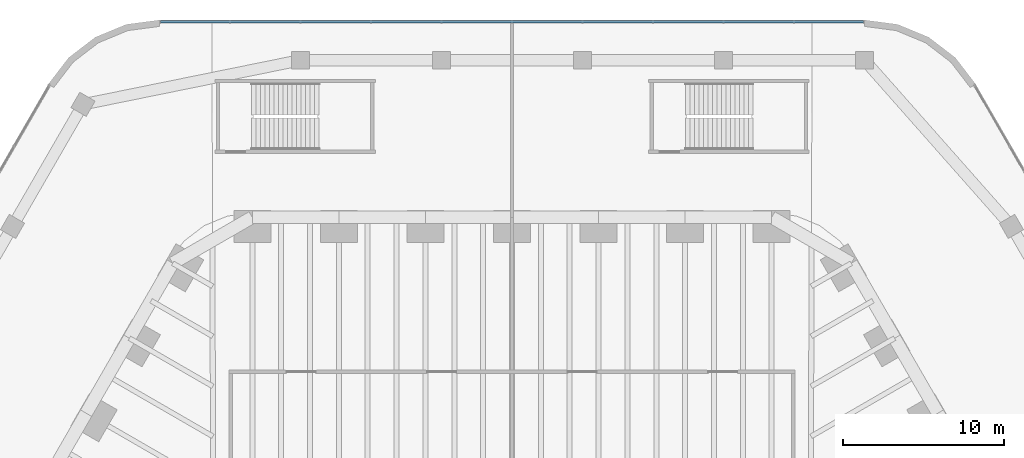
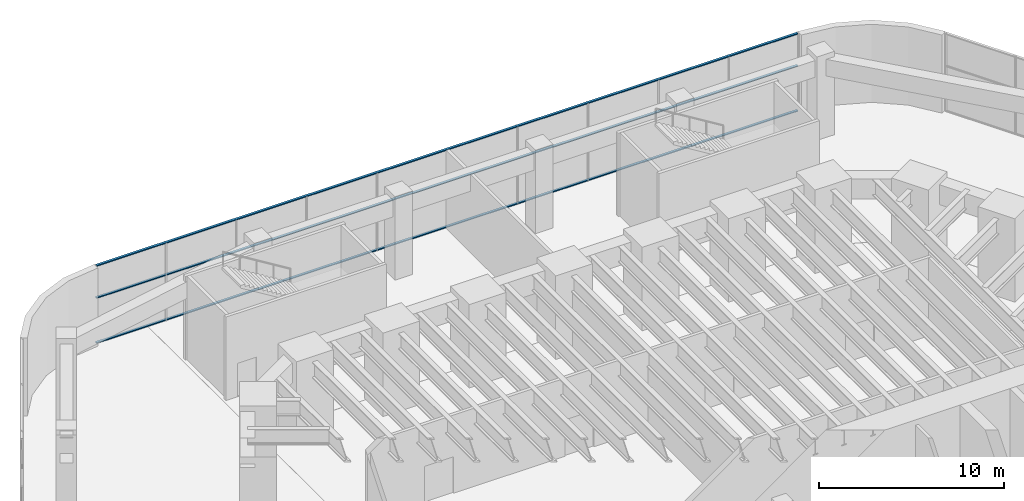
# One storey, part 19 of 31: 3 members, 1 element without a shape of its own.
"""IFC4 building model written with IfcOpenShell, lengths in metres."""

from ifc_helpers import new_model, si_unit, direction, frame, origin, origin_2d, place, context, subcontext, project, spatial, rectangle, extrude, material, material_profile, profile_set, type_object, element, aggregate, save


model = new_model("IFC4")

# Units and contexts
model_context = context("Model", 3, precision=1e-05, world=origin(), true_north=direction((0.0, 1.0)))
body_context = subcontext(model_context, "Body", "Model", "MODEL_VIEW")
ifc_project = project(units=[si_unit("LENGTHUNIT", "METRE"), si_unit("AREAUNIT", "SQUARE_METRE"), si_unit("VOLUMEUNIT", "CUBIC_METRE"), si_unit("PLANEANGLEUNIT", "RADIAN"), si_unit("MASSUNIT", "GRAM", prefix="KILO")], contexts=[model_context])

# Site, building, storey
site_placement = place(None, origin())
site = spatial("IfcSite", under=ifc_project, at=site_placement, CompositionType="ELEMENT")
building_placement = place(site_placement, origin())
building = spatial("IfcBuilding", under=site, at=building_placement, Name="Tarfa Lantern Tower", CompositionType="ELEMENT")
storey_placement = place(building_placement, frame((0.0, 0.0, 13.0)))
storey = spatial("IfcBuildingStorey", under=building, at=storey_placement, Name="L02", CompositionType="ELEMENT", Elevation=13.0)

# Curtain wall, members
ifc_material_1 = material(Name="Aluminium framed curtain wall", Category="aluminium")
curtain_wall_type = type_object("IfcCurtainWallType", Name="CW7 PODIUM GLAZING 5150", PredefinedType="USERDEFINED", material=ifc_material_1)
curtain_wall_placement = place(storey_placement, origin())
curtain_wall = element("IfcCurtainWall", 1, at=curtain_wall_placement, inside=storey, type_object=curtain_wall_type, Name="CW7 N L02", ObjectType="CURTAIN WALL", PredefinedType="USERDEFINED")
ifc_material_2 = material(Name="Aluminium transom", Category="aluminium")
ifc_material_profile = material_profile(ifc_material_2, rectangle(XDim=0.14990234375, YDim=0.06494140625, at=origin_2d()), Name="AL TRANSOM 150x65")
ifc_profile_set = profile_set([ifc_material_profile], Name="Aluminium transom")
member_type = type_object("IfcMemberType", Name="CWT1 TRANSOM 150x65", PredefinedType="USERDEFINED", material=ifc_profile_set)
member_1_placement = place(storey_placement, frame((21.874267578125, 45.89990234375, 0.032470703125), z_axis=(-1.0, 0.0, 0.0), x_axis=(0.0, -1.0, 0.0)))
member_1 = element("IfcMember", 2, at=member_1_placement, type_object=member_type, Name="CW7 transom 1.1", ObjectType="TRANSOM", PredefinedType="USERDEFINED", context=body_context, shape_type="SweptSolid", body=[
    extrude(rectangle(XDim=0.14990234375, YDim=0.06494140625, at=origin_2d()), origin(), (0.0, 0.0, 1.0), 43.74853515625),
])
member_2_placement = place(storey_placement, frame((21.874267578125, 45.89990234375, 3.0), z_axis=(-1.0, 0.0, 0.0), x_axis=(0.0, -1.0, 0.0)))
member_2 = element("IfcMember", 3, at=member_2_placement, type_object=member_type, Name="CW7 transom 1.2", ObjectType="TRANSOM", PredefinedType="USERDEFINED", context=body_context, shape_type="SweptSolid", body=[
    extrude(rectangle(XDim=0.14990234375, YDim=0.06494140625, at=origin_2d()), origin(), (0.0, 0.0, 1.0), 43.74853515625),
])
member_3_placement = place(storey_placement, frame((21.874267578125, 45.89990234375, 5.117431640625), z_axis=(-1.0, 0.0, 0.0), x_axis=(0.0, -1.0, 0.0)))
member_3 = element("IfcMember", 4, at=member_3_placement, type_object=member_type, Name="CW7 transom 1.3", ObjectType="TRANSOM", PredefinedType="USERDEFINED", context=body_context, shape_type="SweptSolid", body=[
    extrude(rectangle(XDim=0.14990234375, YDim=0.06494140625, at=origin_2d()), origin(), (0.0, 0.0, 1.0), 43.74853515625),
])
aggregate(curtain_wall, [member_1, member_2, member_3])

save(model, "model.ifc")
